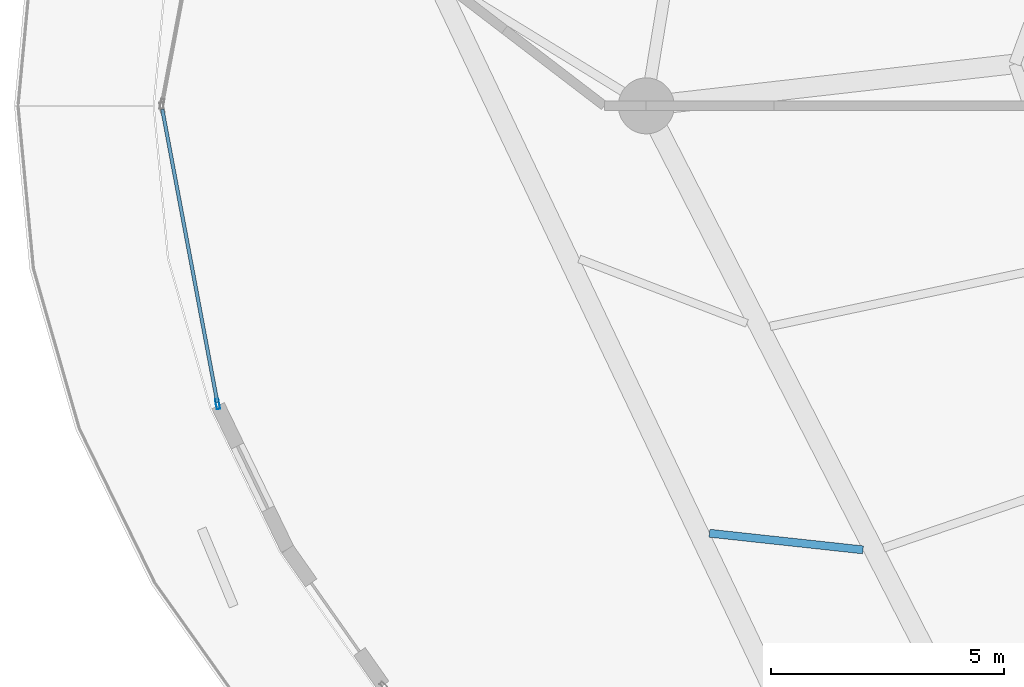
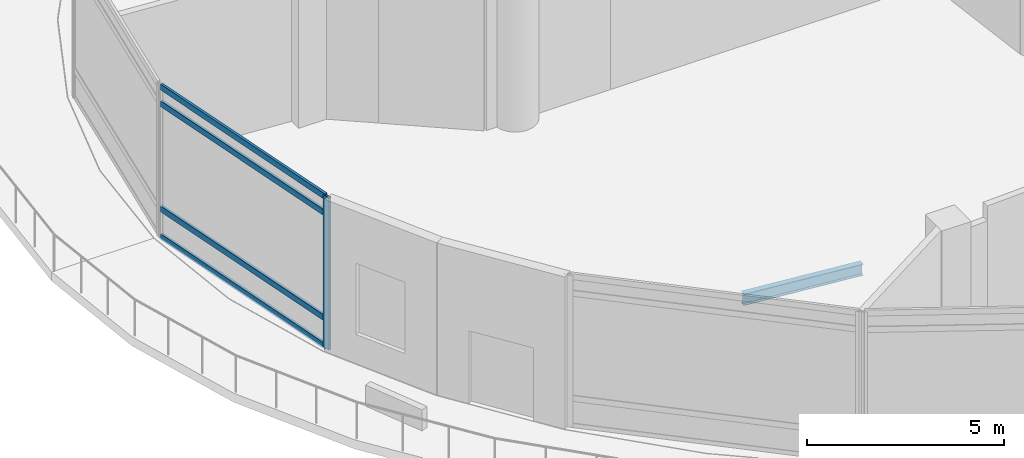
# One storey, part 5 of 36: 5 members, 1 beam, 1 element without a shape of its own.
"""IFC4 building model written with IfcOpenShell, lengths in metres."""

from ifc_helpers import new_model, si_unit, direction, frame, origin, origin_2d, place, context, subcontext, project, spatial, hollow_rectangle, i_section, extrude, material, layer, layer_set, material_profile, profile_set, type_object, element, aggregate, save


model = new_model("IFC4")

# Units and contexts
model_context = context("Model", 3, precision=1e-05, world=origin(), true_north=direction((0.0, 1.0)))
body_context = subcontext(model_context, "Body", "Model", "MODEL_VIEW")
ifc_project = project(units=[si_unit("LENGTHUNIT", "METRE"), si_unit("AREAUNIT", "SQUARE_METRE"), si_unit("VOLUMEUNIT", "CUBIC_METRE"), si_unit("PLANEANGLEUNIT", "RADIAN"), si_unit("MASSUNIT", "GRAM", prefix="KILO")], contexts=[model_context])

# Site, building, storey
site_placement = place(None, origin())
site = spatial("IfcSite", under=ifc_project, at=site_placement, CompositionType="ELEMENT")
building_placement = place(site_placement, origin())
building = spatial("IfcBuilding", under=site, at=building_placement, Name="Nuhasar Tower", CompositionType="ELEMENT")
storey_placement = place(building_placement, frame((0.0, 0.0, 11.0)))
storey = spatial("IfcBuildingStorey", under=building, at=storey_placement, Name="L02", CompositionType="ELEMENT", Elevation=11.0)

# Beam
ifc_material_1 = material(Name="Steel S355", Category="steel")
ifc_material_profile_1 = material_profile(ifc_material_1, i_section(OverallWidth=0.1708984375, OverallDepth=0.35205078125, WebThickness=0.0068359375, FlangeThickness=0.009765625, at=origin_2d()), Name="W14X30")
ifc_profile_set_1 = profile_set([ifc_material_profile_1], Name="Steel S355")
beam_type = type_object("IfcBeamType", Name="BM-JST-W14X30", PredefinedType="JOIST", material=ifc_profile_set_1)
beam_placement = place(storey_placement, frame((18.595947265625, 17.281005859375, -0.47607421875), z_axis=(-0.994173354621, 0.107793046904, 0.0), x_axis=(-0.107793046904, -0.994173354621, 0.0)))
element("IfcBeam", 1, at=beam_placement, inside=storey, type_object=beam_type, Name="L02 Podium Secondary Joist 16", PredefinedType="JOIST", context=body_context, shape_type="SweptSolid", body=[
    extrude(i_section(OverallWidth=0.1708984375, OverallDepth=0.35205078125, WebThickness=0.0068359375, FlangeThickness=0.009765625, at=origin_2d()), origin(), (0.0, 0.0, 1.0), 3.311279296875),
])

# Curtain wall, members
ifc_material_2 = material(Name="Aluminium 6063-T6", Category="aluminium")
ifc_layer = layer(ifc_material_2, 0.219970703125)
ifc_layer_set = layer_set([ifc_layer], Name="Aluminium 6063-T6")
curtain_wall_type = type_object("IfcCurtainWallType", Name="CW-PODIUM", PredefinedType="NOTDEFINED", material=ifc_layer_set)
curtain_wall_placement = place(storey_placement, origin())
curtain_wall = element("IfcCurtainWall", 2, at=curtain_wall_placement, inside=storey, type_object=curtain_wall_type, Name="L02 Podium Curtain Wall Bay 13", PredefinedType="NOTDEFINED")
ifc_material_profile_2 = material_profile(ifc_material_2, hollow_rectangle(XDim=0.074951171875, YDim=0.219970703125, WallThickness=0.0048828125, at=origin_2d()), Name="CWM-1")
ifc_profile_set_2 = profile_set([ifc_material_profile_2], Name="Aluminium 6063-T6")
member_type_1 = type_object("IfcMemberType", Name="CW-MUL-S1", PredefinedType="MULLION", material=ifc_profile_set_2)
member_1_placement = place(storey_placement, frame((4.760986328125, 20.407958984375, 0.0), z_axis=(0.0, 0.0, 1.0), x_axis=(0.982801159334, 0.184666946725, 0.0)))
member_1 = element("IfcMember", 3, at=member_1_placement, type_object=member_type_1, Name="CW-P1 mullion 2", PredefinedType="MULLION", context=body_context, shape_type="SweptSolid", body=[
    extrude(hollow_rectangle(XDim=0.074951171875, YDim=0.219970703125, WallThickness=0.0048828125, at=origin_2d()), origin(), (0.0, 0.0, 1.0), 4.699951171875),
])
ifc_material_profile_3 = material_profile(ifc_material_2, hollow_rectangle(XDim=0.074951171875, YDim=0.179931640625, WallThickness=0.00439453125, at=origin_2d()), Name="CWT-1")
ifc_profile_set_3 = profile_set([ifc_material_profile_3], Name="Aluminium 6063-T6")
member_type_2 = type_object("IfcMemberType", Name="CW-TRN-S1", PredefinedType="USERDEFINED", material=ifc_profile_set_3)
member_2_placement = place(storey_placement, frame((3.57373046875, 26.726318359375, 0.03759765625), z_axis=(0.184687509174, -0.982797295456, 0.0), x_axis=(0.982797295456, 0.184687509174, 0.0)))
member_2 = element("IfcMember", 4, at=member_2_placement, type_object=member_type_2, Name="CW-P1 transom 1.1", ObjectType="TRANSOM", PredefinedType="USERDEFINED", context=body_context, shape_type="SweptSolid", body=[
    extrude(hollow_rectangle(XDim=0.074951171875, YDim=0.179931640625, WallThickness=0.00439453125, at=origin_2d()), origin(), (0.0, 0.0, 1.0), 6.391357421875),
])
member_3_placement = place(storey_placement, frame((3.57373046875, 26.726318359375, 0.89990234375), z_axis=(0.184687509174, -0.982797295456, 0.0), x_axis=(0.982797295456, 0.184687509174, 0.0)))
member_3 = element("IfcMember", 5, at=member_3_placement, type_object=member_type_2, Name="CW-P1 transom 1.2", ObjectType="TRANSOM", PredefinedType="USERDEFINED", context=body_context, shape_type="SweptSolid", body=[
    extrude(hollow_rectangle(XDim=0.074951171875, YDim=0.179931640625, WallThickness=0.00439453125, at=origin_2d()), origin(), (0.0, 0.0, 1.0), 6.391357421875),
])
member_4_placement = place(storey_placement, frame((3.57373046875, 26.726318359375, 4.14990234375), z_axis=(0.184687509174, -0.982797295456, 0.0), x_axis=(0.982797295456, 0.184687509174, 0.0)))
member_4 = element("IfcMember", 6, at=member_4_placement, type_object=member_type_2, Name="CW-P1 transom 1.3", ObjectType="TRANSOM", PredefinedType="USERDEFINED", context=body_context, shape_type="SweptSolid", body=[
    extrude(hollow_rectangle(XDim=0.074951171875, YDim=0.179931640625, WallThickness=0.00439453125, at=origin_2d()), origin(), (0.0, 0.0, 1.0), 6.391357421875),
])
member_5_placement = place(storey_placement, frame((3.57373046875, 26.726318359375, 4.66259765625), z_axis=(0.184687509174, -0.982797295456, 0.0), x_axis=(0.982797295456, 0.184687509174, 0.0)))
member_5 = element("IfcMember", 7, at=member_5_placement, type_object=member_type_2, Name="CW-P1 transom 1.4", ObjectType="TRANSOM", PredefinedType="USERDEFINED", context=body_context, shape_type="SweptSolid", body=[
    extrude(hollow_rectangle(XDim=0.074951171875, YDim=0.179931640625, WallThickness=0.00439453125, at=origin_2d()), origin(), (0.0, 0.0, 1.0), 6.391357421875),
])
aggregate(curtain_wall, [member_1, member_2, member_3, member_4, member_5])

save(model, "model.ifc")
